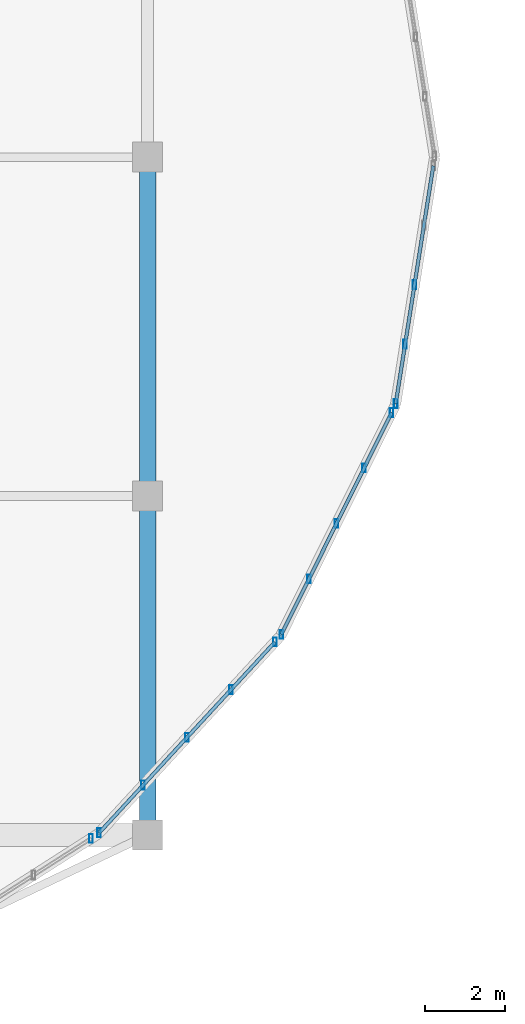
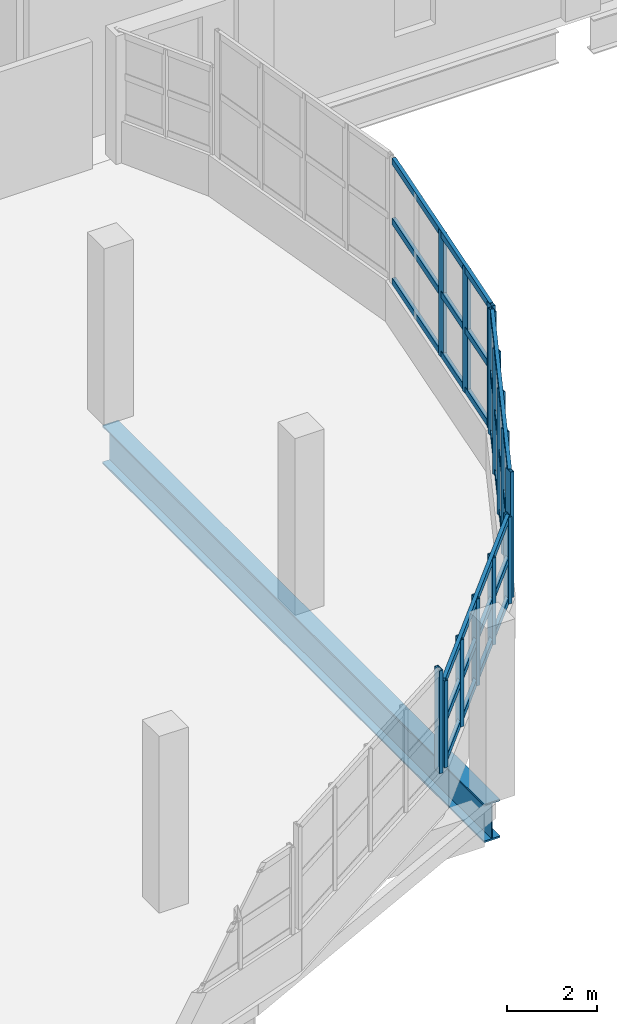
# One storey, part 20 of 77: 23 members, 1 beam, 4 elements without a shape of their own.
"""IFC4 building model written with IfcOpenShell, lengths in metres."""

from ifc_helpers import new_model, si_unit, direction, frame, origin, origin_2d, place, context, subcontext, project, spatial, hollow_rectangle, i_section, extrude, material, material_profile, profile_set, type_object, element, aggregate, save


model = new_model("IFC4")

# Units and contexts
model_context = context("Model", 3, precision=1e-05, world=origin(), true_north=direction((0.0, 1.0)))
body_context = subcontext(model_context, "Body", "Model", "MODEL_VIEW")
ifc_project = project(units=[si_unit("LENGTHUNIT", "METRE"), si_unit("AREAUNIT", "SQUARE_METRE"), si_unit("VOLUMEUNIT", "CUBIC_METRE"), si_unit("PLANEANGLEUNIT", "RADIAN"), si_unit("MASSUNIT", "GRAM", prefix="KILO")], contexts=[model_context])

# Site, building, storey
site_placement = place(None, origin())
site = spatial("IfcSite", under=ifc_project, at=site_placement, CompositionType="ELEMENT")
building_placement = place(site_placement, origin())
building = spatial("IfcBuilding", under=site, at=building_placement, Name="Solvento Point Concert Hall", CompositionType="ELEMENT")
storey_placement = place(building_placement, frame((0.0, 0.0, 10.199951171875)))
storey = spatial("IfcBuildingStorey", under=building, at=storey_placement, Name="L02", CompositionType="ELEMENT", Elevation=10.199951171875)

# Beam
ifc_material_1 = material(Name="Structural Steel ASTM A992 Grade 50", Category="steel")
ifc_material_profile_1 = material_profile(ifc_material_1, i_section(OverallWidth=0.408935546875, OverallDepth=1.041015625, WebThickness=0.031005859375, FlangeThickness=0.04443359375, at=origin_2d()), Name="W40X397")
ifc_profile_set_1 = profile_set([ifc_material_profile_1], Name="Structural Steel ASTM A992 Grade 50")
beam_type = type_object("IfcBeamType", Name="CantileverGirder_W40X397", PredefinedType="USERDEFINED", material=ifc_profile_set_1)
beam_placement = place(storey_placement, frame((82.800048828125, 34.0, -0.79541015625), z_axis=(0.0, -1.0, 0.0), x_axis=(1.0, 0.0, 0.0)))
element("IfcBeam", 1, at=beam_placement, inside=storey, type_object=beam_type, Name="Radial back-span girder CG-01 L02", ObjectType="GIRDER", PredefinedType="USERDEFINED", context=body_context, shape_type="SweptSolid", body=[
    extrude(i_section(OverallWidth=0.408935546875, OverallDepth=1.041015625, WebThickness=0.031005859375, FlangeThickness=0.04443359375, at=origin_2d()), origin(), (0.0, 0.0, 1.0), 17.0),
])

# Curtain wall, members
ifc_material_2 = material(Name="Anodized Bronze Aluminium", Category="aluminium")
curtain_wall_type = type_object("IfcCurtainWallType", Name="CurtainWall_RingRibbon_L01_02", PredefinedType="USERDEFINED", material=ifc_material_2)
curtain_wall_1_placement = place(storey_placement, origin())
curtain_wall_1 = element("IfcCurtainWall", 2, at=curtain_wall_1_placement, inside=storey, type_object=curtain_wall_type, Name="Unitised curtain wall CW-59 UCW-L02-180", ObjectType="UNITISED CURTAIN WALL", PredefinedType="USERDEFINED")
ifc_material_3 = material(Name="Anodized Bronze Aluminium", Category="aluminium")
ifc_material_profile_2 = material_profile(ifc_material_3, hollow_rectangle(XDim=0.090087890625, YDim=0.219970703125, WallThickness=0.00439453125, at=origin_2d()), Name="CW-MUL-90X220")
ifc_profile_set_2 = profile_set([ifc_material_profile_2], Name="Anodized Bronze Aluminium")
member_type_1 = type_object("IfcMemberType", Name="Mullion_90x220", PredefinedType="MULLION", material=ifc_profile_set_2)
member_1_placement = place(storey_placement, frame((89.494384765625, 30.80029296875, 1.1201171875), z_axis=(0.0, 0.0, 1.0), x_axis=(1.0, 0.0, 0.0)))
member_1 = element("IfcMember", 3, at=member_1_placement, type_object=member_type_1, Name="Curtain wall mullion ML-02", PredefinedType="MULLION", context=body_context, shape_type="SweptSolid", body=[
    extrude(hollow_rectangle(XDim=0.090087890625, YDim=0.219970703125, WallThickness=0.00439453125, at=origin_2d()), origin(), (0.0, 0.0, 1.0), 3.419921875),
])
member_2_placement = place(storey_placement, frame((89.259033203125, 29.30908203125, 1.1201171875), z_axis=(0.0, 0.0, 1.0), x_axis=(1.0, 0.0, 0.0)))
member_2 = element("IfcMember", 4, at=member_2_placement, type_object=member_type_1, Name="Curtain wall mullion ML-02", PredefinedType="MULLION", context=body_context, shape_type="SweptSolid", body=[
    extrude(hollow_rectangle(XDim=0.090087890625, YDim=0.219970703125, WallThickness=0.00439453125, at=origin_2d()), origin(), (0.0, 0.0, 1.0), 3.419921875),
])
member_3_placement = place(storey_placement, frame((89.0234375, 27.81787109375, 1.1201171875), z_axis=(0.0, 0.0, 1.0), x_axis=(1.0, 0.0, 0.0)))
member_3 = element("IfcMember", 5, at=member_3_placement, type_object=member_type_1, Name="Curtain wall mullion ML-02", PredefinedType="MULLION", context=body_context, shape_type="SweptSolid", body=[
    extrude(hollow_rectangle(XDim=0.090087890625, YDim=0.219970703125, WallThickness=0.00439453125, at=origin_2d()), origin(), (0.0, 0.0, 1.0), 3.419921875),
])

curtain_wall_2_placement = place(storey_placement, origin())
curtain_wall_2 = element("IfcCurtainWall", 6, at=curtain_wall_2_placement, inside=storey, type_object=curtain_wall_type, Name="Unitised curtain wall CW-59 UCW-L02-181", ObjectType="UNITISED CURTAIN WALL", PredefinedType="USERDEFINED")
member_4_placement = place(storey_placement, frame((88.9208984375, 27.59130859375, 1.1201171875), z_axis=(0.0, 0.0, 1.0), x_axis=(1.0, 0.0, 0.0)))
member_4 = element("IfcMember", 7, at=member_4_placement, type_object=member_type_1, Name="Curtain wall mullion ML-02", PredefinedType="MULLION", context=body_context, shape_type="SweptSolid", body=[
    extrude(hollow_rectangle(XDim=0.090087890625, YDim=0.219970703125, WallThickness=0.00439453125, at=origin_2d()), origin(), (0.0, 0.0, 1.0), 3.419921875),
])
member_5_placement = place(storey_placement, frame((88.229248046875, 26.2001953125, 1.1201171875), z_axis=(0.0, 0.0, 1.0), x_axis=(1.0, 0.0, 0.0)))
member_5 = element("IfcMember", 8, at=member_5_placement, type_object=member_type_1, Name="Curtain wall mullion ML-02", PredefinedType="MULLION", context=body_context, shape_type="SweptSolid", body=[
    extrude(hollow_rectangle(XDim=0.090087890625, YDim=0.219970703125, WallThickness=0.00439453125, at=origin_2d()), origin(), (0.0, 0.0, 1.0), 3.419921875),
])
member_6_placement = place(storey_placement, frame((87.537841796875, 24.80908203125, 1.1201171875), z_axis=(0.0, 0.0, 1.0), x_axis=(1.0, 0.0, 0.0)))
member_6 = element("IfcMember", 9, at=member_6_placement, type_object=member_type_1, Name="Curtain wall mullion ML-02", PredefinedType="MULLION", context=body_context, shape_type="SweptSolid", body=[
    extrude(hollow_rectangle(XDim=0.090087890625, YDim=0.219970703125, WallThickness=0.00439453125, at=origin_2d()), origin(), (0.0, 0.0, 1.0), 3.419921875),
])
member_7_placement = place(storey_placement, frame((86.84619140625, 23.41796875, 1.1201171875), z_axis=(0.0, 0.0, 1.0), x_axis=(1.0, 0.0, 0.0)))
member_7 = element("IfcMember", 10, at=member_7_placement, type_object=member_type_1, Name="Curtain wall mullion ML-02", PredefinedType="MULLION", context=body_context, shape_type="SweptSolid", body=[
    extrude(hollow_rectangle(XDim=0.090087890625, YDim=0.219970703125, WallThickness=0.00439453125, at=origin_2d()), origin(), (0.0, 0.0, 1.0), 3.419921875),
])
member_8_placement = place(storey_placement, frame((86.15478515625, 22.02685546875, 1.1201171875), z_axis=(0.0, 0.0, 1.0), x_axis=(1.0, 0.0, 0.0)))
member_8 = element("IfcMember", 11, at=member_8_placement, type_object=member_type_1, Name="Curtain wall mullion ML-02", PredefinedType="MULLION", context=body_context, shape_type="SweptSolid", body=[
    extrude(hollow_rectangle(XDim=0.090087890625, YDim=0.219970703125, WallThickness=0.00439453125, at=origin_2d()), origin(), (0.0, 0.0, 1.0), 3.419921875),
])

curtain_wall_3_placement = place(storey_placement, origin())
curtain_wall_3 = element("IfcCurtainWall", 12, at=curtain_wall_3_placement, inside=storey, type_object=curtain_wall_type, Name="Unitised curtain wall CW-59 UCW-L02-182", ObjectType="UNITISED CURTAIN WALL", PredefinedType="USERDEFINED")
member_9_placement = place(storey_placement, frame((85.992431640625, 21.838134765625, 1.1201171875), z_axis=(0.0, 0.0, 1.0), x_axis=(1.0, 0.0, 0.0)))
member_9 = element("IfcMember", 13, at=member_9_placement, type_object=member_type_1, Name="Curtain wall mullion ML-02", PredefinedType="MULLION", context=body_context, shape_type="SweptSolid", body=[
    extrude(hollow_rectangle(XDim=0.090087890625, YDim=0.219970703125, WallThickness=0.00439453125, at=origin_2d()), origin(), (0.0, 0.0, 1.0), 2.36181640625),
])
member_10_placement = place(storey_placement, frame((84.890625, 20.6416015625, 1.1201171875), z_axis=(0.0, 0.0, 1.0), x_axis=(1.0, 0.0, 0.0)))
member_10 = element("IfcMember", 14, at=member_10_placement, type_object=member_type_1, Name="Curtain wall mullion ML-02", PredefinedType="MULLION", context=body_context, shape_type="SweptSolid", body=[
    extrude(hollow_rectangle(XDim=0.090087890625, YDim=0.219970703125, WallThickness=0.00439453125, at=origin_2d()), origin(), (0.0, 0.0, 1.0), 2.36181640625),
])
member_11_placement = place(storey_placement, frame((83.788818359375, 19.44482421875, 1.1201171875), z_axis=(0.0, 0.0, 1.0), x_axis=(1.0, 0.0, 0.0)))
member_11 = element("IfcMember", 15, at=member_11_placement, type_object=member_type_1, Name="Curtain wall mullion ML-02", PredefinedType="MULLION", context=body_context, shape_type="SweptSolid", body=[
    extrude(hollow_rectangle(XDim=0.090087890625, YDim=0.219970703125, WallThickness=0.00439453125, at=origin_2d()), origin(), (0.0, 0.0, 1.0), 2.36181640625),
])
member_12_placement = place(storey_placement, frame((82.68701171875, 18.248046875, 1.1201171875), z_axis=(0.0, 0.0, 1.0), x_axis=(1.0, 0.0, 0.0)))
member_12 = element("IfcMember", 16, at=member_12_placement, type_object=member_type_1, Name="Curtain wall mullion ML-02", PredefinedType="MULLION", context=body_context, shape_type="SweptSolid", body=[
    extrude(hollow_rectangle(XDim=0.090087890625, YDim=0.219970703125, WallThickness=0.00439453125, at=origin_2d()), origin(), (0.0, 0.0, 1.0), 2.36181640625),
])
member_13_placement = place(storey_placement, frame((81.5849609375, 17.051513671875, 1.1201171875), z_axis=(0.0, 0.0, 1.0), x_axis=(1.0, 0.0, 0.0)))
member_13 = element("IfcMember", 17, at=member_13_placement, type_object=member_type_1, Name="Curtain wall mullion ML-02", PredefinedType="MULLION", context=body_context, shape_type="SweptSolid", body=[
    extrude(hollow_rectangle(XDim=0.090087890625, YDim=0.219970703125, WallThickness=0.00439453125, at=origin_2d()), origin(), (0.0, 0.0, 1.0), 2.36181640625),
])

# Curtain wall, member
curtain_wall_4_placement = place(storey_placement, origin())
curtain_wall_4 = element("IfcCurtainWall", 18, at=curtain_wall_4_placement, inside=storey, type_object=curtain_wall_type, Name="Unitised curtain wall CW-59 UCW-L02-183", ObjectType="UNITISED CURTAIN WALL", PredefinedType="USERDEFINED")
member_14_placement = place(storey_placement, frame((81.37939453125, 16.910888671875, 1.1201171875), z_axis=(0.0, 0.0, 1.0), x_axis=(1.0, 0.0, 0.0)))
member_14 = element("IfcMember", 19, at=member_14_placement, type_object=member_type_1, Name="Curtain wall mullion ML-02", PredefinedType="MULLION", context=body_context, shape_type="SweptSolid", body=[
    extrude(hollow_rectangle(XDim=0.090087890625, YDim=0.219970703125, WallThickness=0.00439453125, at=origin_2d()), origin(), (0.0, 0.0, 1.0), 2.7958984375),
])
aggregate(curtain_wall_4, [member_14])

# Member
ifc_material_4 = material(Name="Anodized Bronze Aluminium", Category="aluminium")
ifc_material_profile_3 = material_profile(ifc_material_4, hollow_rectangle(XDim=0.090087890625, YDim=0.179931640625, WallThickness=0.00439453125, at=origin_2d()), Name="CW-TRN-90X180")
ifc_profile_set_3 = profile_set([ifc_material_profile_3], Name="Anodized Bronze Aluminium")
member_type_2 = type_object("IfcMemberType", Name="Transom_90x180", PredefinedType="USERDEFINED", material=ifc_profile_set_3)
member_15_placement = place(storey_placement, frame((89.9658203125, 33.78271484375, 1.199951171875), z_axis=(-0.15605391931, -0.987748537973, 0.0), x_axis=(0.987748537973, -0.15605391931, 0.0)))
member_15 = element("IfcMember", 20, at=member_15_placement, type_object=member_type_2, Name="Curtain wall transom TR-02", ObjectType="TRANSOM", PredefinedType="USERDEFINED", context=body_context, shape_type="SweptSolid", body=[
    extrude(hollow_rectangle(XDim=0.090087890625, YDim=0.179931640625, WallThickness=0.00439453125, at=origin_2d()), origin(), (0.0, 0.0, 1.0), 6.038818359375),
])

member_16_placement = place(storey_placement, frame((89.9658203125, 33.78271484375, 2.830078125), z_axis=(-0.15605391931, -0.987748537973, 0.0), x_axis=(0.987748537973, -0.15605391931, 0.0)))
member_16 = element("IfcMember", 21, at=member_16_placement, type_object=member_type_2, Name="Curtain wall transom TR-02", ObjectType="TRANSOM", PredefinedType="USERDEFINED", context=body_context, shape_type="SweptSolid", body=[
    extrude(hollow_rectangle(XDim=0.090087890625, YDim=0.179931640625, WallThickness=0.00439453125, at=origin_2d()), origin(), (0.0, 0.0, 1.0), 6.038818359375),
])

member_17_placement = place(storey_placement, frame((89.9658203125, 33.78271484375, 4.4599609375), z_axis=(-0.15605391931, -0.987748537973, 0.0), x_axis=(0.987748537973, -0.15605391931, 0.0)))
member_17 = element("IfcMember", 22, at=member_17_placement, type_object=member_type_2, Name="Curtain wall transom TR-02", ObjectType="TRANSOM", PredefinedType="USERDEFINED", context=body_context, shape_type="SweptSolid", body=[
    extrude(hollow_rectangle(XDim=0.090087890625, YDim=0.179931640625, WallThickness=0.00439453125, at=origin_2d()), origin(), (0.0, 0.0, 1.0), 6.038818359375),
])

aggregate(curtain_wall_1, [member_1, member_2, member_3, member_15, member_16, member_17])

member_18_placement = place(storey_placement, frame((88.9208984375, 27.59130859375, 1.199951171875), z_axis=(-0.445137963358, -0.895462000075, 0.0), x_axis=(0.895462000075, -0.445137963358, 0.0)))
member_18 = element("IfcMember", 23, at=member_18_placement, type_object=member_type_2, Name="Curtain wall transom TR-02", ObjectType="TRANSOM", PredefinedType="USERDEFINED", context=body_context, shape_type="SweptSolid", body=[
    extrude(hollow_rectangle(XDim=0.090087890625, YDim=0.179931640625, WallThickness=0.00439453125, at=origin_2d()), origin(), (0.0, 0.0, 1.0), 6.214111328125),
])

member_19_placement = place(storey_placement, frame((88.9208984375, 27.59130859375, 2.830078125), z_axis=(-0.445137963358, -0.895462000075, 0.0), x_axis=(0.895462000075, -0.445137963358, 0.0)))
member_19 = element("IfcMember", 24, at=member_19_placement, type_object=member_type_2, Name="Curtain wall transom TR-02", ObjectType="TRANSOM", PredefinedType="USERDEFINED", context=body_context, shape_type="SweptSolid", body=[
    extrude(hollow_rectangle(XDim=0.090087890625, YDim=0.179931640625, WallThickness=0.00439453125, at=origin_2d()), origin(), (0.0, 0.0, 1.0), 6.214111328125),
])

member_20_placement = place(storey_placement, frame((88.9208984375, 27.59130859375, 4.4599609375), z_axis=(-0.445137963358, -0.895462000075, 0.0), x_axis=(0.895462000075, -0.445137963358, 0.0)))
member_20 = element("IfcMember", 25, at=member_20_placement, type_object=member_type_2, Name="Curtain wall transom TR-02", ObjectType="TRANSOM", PredefinedType="USERDEFINED", context=body_context, shape_type="SweptSolid", body=[
    extrude(hollow_rectangle(XDim=0.090087890625, YDim=0.179931640625, WallThickness=0.00439453125, at=origin_2d()), origin(), (0.0, 0.0, 1.0), 6.214111328125),
])

aggregate(curtain_wall_2, [member_4, member_5, member_6, member_7, member_8, member_18, member_19, member_20])

member_21_placement = place(storey_placement, frame((85.992431640625, 21.838134765625, 1.199951171875), z_axis=(-0.677371042666, -0.735641536726, 0.0), x_axis=(0.735641536726, -0.677371042666, 0.0)))
member_21 = element("IfcMember", 26, at=member_21_placement, type_object=member_type_2, Name="Curtain wall transom TR-02", ObjectType="TRANSOM", PredefinedType="USERDEFINED", context=body_context, shape_type="SweptSolid", body=[
    extrude(hollow_rectangle(XDim=0.090087890625, YDim=0.179931640625, WallThickness=0.00439453125, at=origin_2d()), origin(), (0.0, 0.0, 1.0), 6.5068359375),
])

member_22_placement = place(storey_placement, frame((85.992431640625, 21.838134765625, 2.301025390625), z_axis=(-0.677371042666, -0.735641536726, 0.0), x_axis=(0.735641536726, -0.677371042666, 0.0)))
member_22 = element("IfcMember", 27, at=member_22_placement, type_object=member_type_2, Name="Curtain wall transom TR-02", ObjectType="TRANSOM", PredefinedType="USERDEFINED", context=body_context, shape_type="SweptSolid", body=[
    extrude(hollow_rectangle(XDim=0.090087890625, YDim=0.179931640625, WallThickness=0.00439453125, at=origin_2d()), origin(), (0.0, 0.0, 1.0), 6.5068359375),
])

member_23_placement = place(storey_placement, frame((85.992431640625, 21.838134765625, 3.402099609375), z_axis=(-0.677371042666, -0.735641536726, 0.0), x_axis=(0.735641536726, -0.677371042666, 0.0)))
member_23 = element("IfcMember", 28, at=member_23_placement, type_object=member_type_2, Name="Curtain wall transom TR-02", ObjectType="TRANSOM", PredefinedType="USERDEFINED", context=body_context, shape_type="SweptSolid", body=[
    extrude(hollow_rectangle(XDim=0.090087890625, YDim=0.179931640625, WallThickness=0.00439453125, at=origin_2d()), origin(), (0.0, 0.0, 1.0), 6.5068359375),
])

aggregate(curtain_wall_3, [member_9, member_10, member_11, member_12, member_13, member_21, member_22, member_23])

save(model, "model.ifc")
